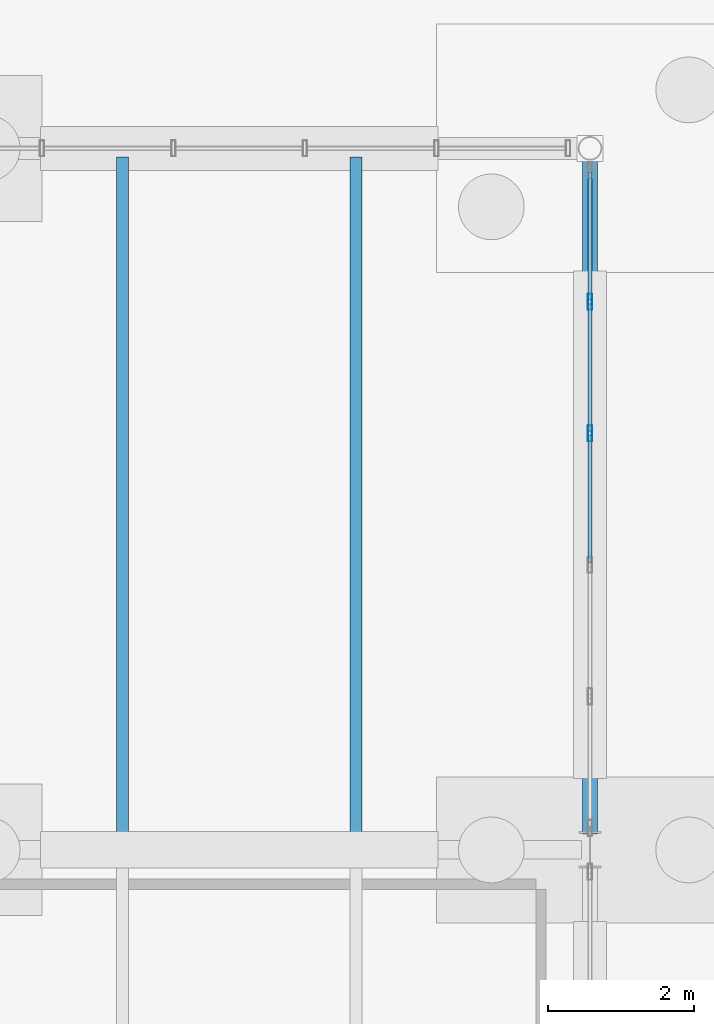
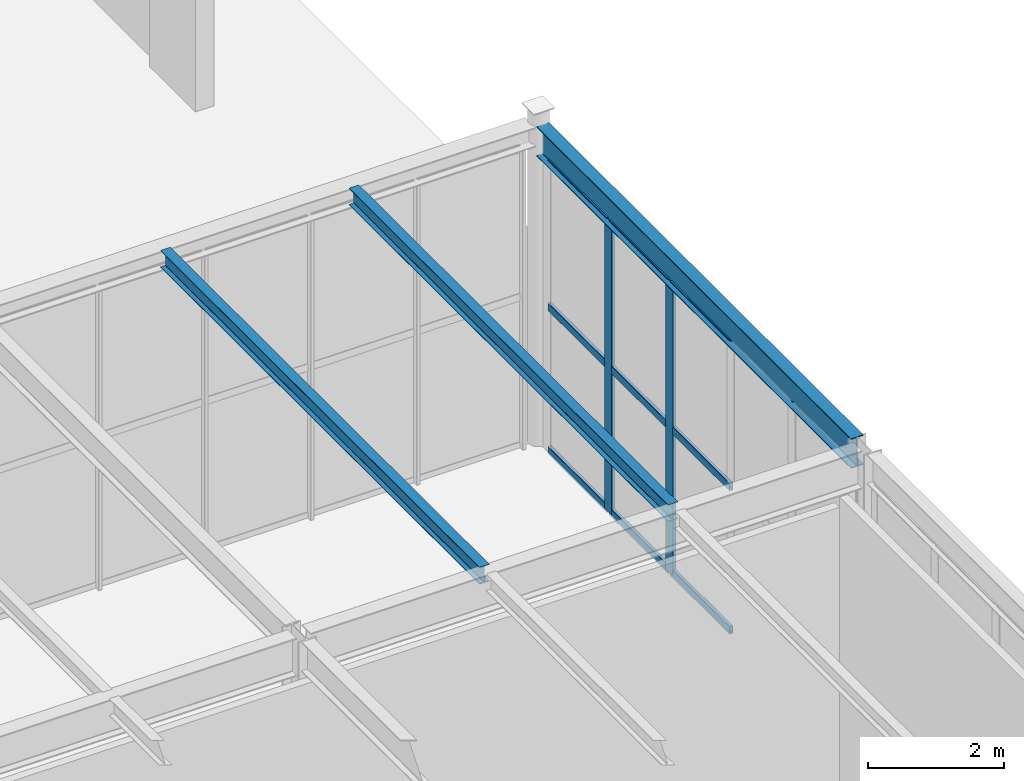
# One storey, part 98 of 142: 11 members, 3 beams, 1 element without a shape of its own.
"""IFC4 building model written with IfcOpenShell, lengths in metres."""

from ifc_helpers import new_model, si_unit, direction, frame, origin, origin_2d, place, context, subcontext, project, spatial, hollow_rectangle, i_section, extrude, material, material_profile, profile_set, type_object, element, aggregate, save


model = new_model("IFC4")

# Units and contexts
model_context = context("Model", 3, precision=1e-05, world=origin(), true_north=direction((0.0, 1.0)))
body_context = subcontext(model_context, "Body", "Model", "MODEL_VIEW")
ifc_project = project(units=[si_unit("LENGTHUNIT", "METRE"), si_unit("AREAUNIT", "SQUARE_METRE"), si_unit("VOLUMEUNIT", "CUBIC_METRE"), si_unit("PLANEANGLEUNIT", "RADIAN"), si_unit("MASSUNIT", "GRAM", prefix="KILO")], contexts=[model_context])

# Site, building, storey
site_placement = place(None, origin())
site = spatial("IfcSite", under=ifc_project, at=site_placement, CompositionType="ELEMENT")
building_placement = place(site_placement, origin())
building = spatial("IfcBuilding", under=site, at=building_placement, Name="Coralgate Yard Interchange", CompositionType="ELEMENT")
storey_placement = place(building_placement, origin())
storey = spatial("IfcBuildingStorey", under=building, at=storey_placement, Name="L00", CompositionType="ELEMENT", Elevation=0.0)

# Beams
ifc_material_1 = material(Name="Structural steel S355J2", Category="steel")
ifc_material_profile_1 = material_profile(ifc_material_1, i_section(OverallWidth=0.209228515625, OverallDepth=0.533203125, WebThickness=0.010009765625, FlangeThickness=0.015625, FilletRadius=0.0126953125, at=origin_2d()), Name="UB 533x210x92")
ifc_profile_set_1 = profile_set([ifc_material_profile_1], Name="Structural steel S355J2")
beam_type_1 = type_object("IfcBeamType", Name="BM-SB-1", PredefinedType="BEAM", material=ifc_profile_set_1)
beam_placement = place(storey_placement, frame((182.39990234375, 86.6201171875, 5.4833984375), z_axis=(0.0, 1.0, 0.0), x_axis=(-1.0, 0.0, 0.0)))
element("IfcBeam", 1, at=beam_placement, inside=storey, type_object=beam_type_1, Name="L00 primary grid girder X19 Y9-10", PredefinedType="BEAM", context=body_context, shape_type="SweptSolid", body=[
    extrude(i_section(OverallWidth=0.209228515625, OverallDepth=0.533203125, WebThickness=0.010009765625, FlangeThickness=0.015625, FilletRadius=0.0126953125, at=origin_2d()), origin(), (0.0, 0.0, 1.0), 9.247802734375),
])
ifc_material_profile_2 = material_profile(ifc_material_1, i_section(OverallWidth=0.1650390625, OverallDepth=0.303466796875, WebThickness=0.006103515625, FlangeThickness=0.01025390625, FilletRadius=0.0087890625, at=origin_2d()), Name="UB 305x165x40")
ifc_profile_set_2 = profile_set([ifc_material_profile_2], Name="Structural steel S355J2")
beam_type_2 = type_object("IfcBeamType", Name="BM-SJ-1", PredefinedType="JOIST", material=ifc_profile_set_2)
for number, where, z_axis, x_axis, name in (
    (2, (176.0, 86.496826171875, 5.598388671875), (0.0, 1.0, 0.0), (-1.0, 0.0, 0.0), "L00 composite floor joist 18-9-1"),
    (3, (179.199951171875, 86.496826171875, 5.598388671875), (0.0, 1.0, 0.0), (-1.0, 0.0, 0.0), "L00 composite floor joist 18-9-2"),
):
    element("IfcBeam", number, at=place(storey_placement, frame(where, z_axis=z_axis, x_axis=x_axis)), inside=storey, type_object=beam_type_2, Name=name, PredefinedType="JOIST", context=body_context, shape_type="SweptSolid", body=[
        extrude(i_section(OverallWidth=0.1650390625, OverallDepth=0.303466796875, WebThickness=0.006103515625, FlangeThickness=0.01025390625, FilletRadius=0.0087890625, at=origin_2d()), origin(), (0.0, 0.0, 1.0), 9.383056640625),
    ])

# Curtain wall, members
ifc_material_2 = material(Name="Anodised coastal aluminium and solar-control low-E glass", Category="aluminium")
curtain_wall_type = type_object("IfcCurtainWallType", Name="CW-CW-L00-B", PredefinedType="NOTDEFINED", material=ifc_material_2)
curtain_wall_placement = place(storey_placement, origin())
curtain_wall = element("IfcCurtainWall", 4, at=curtain_wall_placement, inside=storey, type_object=curtain_wall_type, Name="L00 unitised curtain wall CW-L00-E-18-09", PredefinedType="NOTDEFINED")
ifc_material_3 = material(Name="Anodised coastal aluminium 6063-T6", Category="aluminium")
ifc_material_profile_3 = material_profile(ifc_material_3, hollow_rectangle(XDim=0.06005859375, YDim=0.219970703125, WallThickness=0.00390625, InnerFilletRadius=0.00390625, OuterFilletRadius=0.008056640625, at=origin_2d()), Name="ALU 60x220x4")
ifc_profile_set_3 = profile_set([ifc_material_profile_3], Name="Anodised coastal aluminium 6063-T6")
member_type_1 = type_object("IfcMemberType", Name="MB-MUL-220", PredefinedType="MULLION", material=ifc_profile_set_3)
member_1_placement = place(storey_placement, frame((182.39990234375, 93.89990234375, 0.0), z_axis=(0.0, 0.0, 1.0), x_axis=(1.0, 0.0, 0.0)))
member_1 = element("IfcMember", 5, at=member_1_placement, type_object=member_type_1, Name="CW-L00-E-18-09 vertical mullion 2", PredefinedType="MULLION", context=body_context, shape_type="SweptSolid", body=[
    extrude(hollow_rectangle(XDim=0.06005859375, YDim=0.219970703125, WallThickness=0.00390625, InnerFilletRadius=0.00390625, OuterFilletRadius=0.008056640625, at=origin_2d()), origin(), (0.0, 0.0, 1.0), 5.216796875),
])
member_2_placement = place(storey_placement, frame((182.39990234375, 92.10009765625, 0.0), z_axis=(0.0, 0.0, 1.0), x_axis=(1.0, 0.0, 0.0)))
member_2 = element("IfcMember", 6, at=member_2_placement, type_object=member_type_1, Name="CW-L00-E-18-09 vertical mullion 3", PredefinedType="MULLION", context=body_context, shape_type="SweptSolid", body=[
    extrude(hollow_rectangle(XDim=0.06005859375, YDim=0.219970703125, WallThickness=0.00390625, InnerFilletRadius=0.00390625, OuterFilletRadius=0.008056640625, at=origin_2d()), origin(), (0.0, 0.0, 1.0), 5.216796875),
])
ifc_material_profile_4 = material_profile(ifc_material_3, hollow_rectangle(XDim=0.06005859375, YDim=0.139892578125, WallThickness=0.00341796875, InnerFilletRadius=0.00341796875, OuterFilletRadius=0.007080078125, at=origin_2d()), Name="ALU 60x140x3.5")
ifc_profile_set_4 = profile_set([ifc_material_profile_4], Name="Anodised coastal aluminium 6063-T6")
member_type_2 = type_object("IfcMemberType", Name="MB-TRN-140", PredefinedType="USERDEFINED", material=ifc_profile_set_4)
member_3_placement = place(storey_placement, frame((182.39990234375, 95.669921875, 0.034912109375), z_axis=(0.0, -1.0, 0.0), x_axis=(1.0, 0.0, 0.0)))
member_3 = element("IfcMember", 7, at=member_3_placement, type_object=member_type_2, Name="CW-L00-E-18-09 horizontal transom 1-1", ObjectType="TRANSOM", PredefinedType="USERDEFINED", context=body_context, shape_type="SweptSolid", body=[
    extrude(hollow_rectangle(XDim=0.06005859375, YDim=0.139892578125, WallThickness=0.00341796875, InnerFilletRadius=0.00341796875, OuterFilletRadius=0.007080078125, at=origin_2d()), origin(), (0.0, 0.0, 1.0), 1.739990234375),
])
member_4_placement = place(storey_placement, frame((182.39990234375, 95.669921875, 2.6083984375), z_axis=(0.0, -1.0, 0.0), x_axis=(1.0, 0.0, 0.0)))
member_4 = element("IfcMember", 8, at=member_4_placement, type_object=member_type_2, Name="CW-L00-E-18-09 horizontal transom 1-2", ObjectType="TRANSOM", PredefinedType="USERDEFINED", context=body_context, shape_type="SweptSolid", body=[
    extrude(hollow_rectangle(XDim=0.06005859375, YDim=0.139892578125, WallThickness=0.00341796875, InnerFilletRadius=0.00341796875, OuterFilletRadius=0.007080078125, at=origin_2d()), origin(), (0.0, 0.0, 1.0), 1.739990234375),
])
member_5_placement = place(storey_placement, frame((182.39990234375, 95.669921875, 5.181884765625), z_axis=(0.0, -1.0, 0.0), x_axis=(1.0, 0.0, 0.0)))
member_5 = element("IfcMember", 9, at=member_5_placement, type_object=member_type_2, Name="CW-L00-E-18-09 horizontal transom 1-3", ObjectType="TRANSOM", PredefinedType="USERDEFINED", context=body_context, shape_type="SweptSolid", body=[
    extrude(hollow_rectangle(XDim=0.06005859375, YDim=0.139892578125, WallThickness=0.00341796875, InnerFilletRadius=0.00341796875, OuterFilletRadius=0.007080078125, at=origin_2d()), origin(), (0.0, 0.0, 1.0), 1.739990234375),
])
member_6_placement = place(storey_placement, frame((182.39990234375, 93.8701171875, 0.034912109375), z_axis=(0.0, -1.0, 0.0), x_axis=(1.0, 0.0, 0.0)))
member_6 = element("IfcMember", 10, at=member_6_placement, type_object=member_type_2, Name="CW-L00-E-18-09 horizontal transom 2-1", ObjectType="TRANSOM", PredefinedType="USERDEFINED", context=body_context, shape_type="SweptSolid", body=[
    extrude(hollow_rectangle(XDim=0.06005859375, YDim=0.139892578125, WallThickness=0.00341796875, InnerFilletRadius=0.00341796875, OuterFilletRadius=0.007080078125, at=origin_2d()), origin(), (0.0, 0.0, 1.0), 1.740234375),
])
member_7_placement = place(storey_placement, frame((182.39990234375, 93.8701171875, 2.6083984375), z_axis=(0.0, -1.0, 0.0), x_axis=(1.0, 0.0, 0.0)))
member_7 = element("IfcMember", 11, at=member_7_placement, type_object=member_type_2, Name="CW-L00-E-18-09 horizontal transom 2-2", ObjectType="TRANSOM", PredefinedType="USERDEFINED", context=body_context, shape_type="SweptSolid", body=[
    extrude(hollow_rectangle(XDim=0.06005859375, YDim=0.139892578125, WallThickness=0.00341796875, InnerFilletRadius=0.00341796875, OuterFilletRadius=0.007080078125, at=origin_2d()), origin(), (0.0, 0.0, 1.0), 1.740234375),
])
member_8_placement = place(storey_placement, frame((182.39990234375, 93.8701171875, 5.181884765625), z_axis=(0.0, -1.0, 0.0), x_axis=(1.0, 0.0, 0.0)))
member_8 = element("IfcMember", 12, at=member_8_placement, type_object=member_type_2, Name="CW-L00-E-18-09 horizontal transom 2-3", ObjectType="TRANSOM", PredefinedType="USERDEFINED", context=body_context, shape_type="SweptSolid", body=[
    extrude(hollow_rectangle(XDim=0.06005859375, YDim=0.139892578125, WallThickness=0.00341796875, InnerFilletRadius=0.00341796875, OuterFilletRadius=0.007080078125, at=origin_2d()), origin(), (0.0, 0.0, 1.0), 1.740234375),
])
member_9_placement = place(storey_placement, frame((182.39990234375, 92.070068359375, 0.034912109375), z_axis=(0.0, -1.0, 0.0), x_axis=(1.0, 0.0, 0.0)))
member_9 = element("IfcMember", 13, at=member_9_placement, type_object=member_type_2, Name="CW-L00-E-18-09 horizontal transom 3-1", ObjectType="TRANSOM", PredefinedType="USERDEFINED", context=body_context, shape_type="SweptSolid", body=[
    extrude(hollow_rectangle(XDim=0.06005859375, YDim=0.139892578125, WallThickness=0.00341796875, InnerFilletRadius=0.00341796875, OuterFilletRadius=0.007080078125, at=origin_2d()), origin(), (0.0, 0.0, 1.0), 1.739990234375),
])
member_10_placement = place(storey_placement, frame((182.39990234375, 92.070068359375, 2.6083984375), z_axis=(0.0, -1.0, 0.0), x_axis=(1.0, 0.0, 0.0)))
member_10 = element("IfcMember", 14, at=member_10_placement, type_object=member_type_2, Name="CW-L00-E-18-09 horizontal transom 3-2", ObjectType="TRANSOM", PredefinedType="USERDEFINED", context=body_context, shape_type="SweptSolid", body=[
    extrude(hollow_rectangle(XDim=0.06005859375, YDim=0.139892578125, WallThickness=0.00341796875, InnerFilletRadius=0.00341796875, OuterFilletRadius=0.007080078125, at=origin_2d()), origin(), (0.0, 0.0, 1.0), 1.739990234375),
])
member_11_placement = place(storey_placement, frame((182.39990234375, 92.070068359375, 5.181884765625), z_axis=(0.0, -1.0, 0.0), x_axis=(1.0, 0.0, 0.0)))
member_11 = element("IfcMember", 15, at=member_11_placement, type_object=member_type_2, Name="CW-L00-E-18-09 horizontal transom 3-3", ObjectType="TRANSOM", PredefinedType="USERDEFINED", context=body_context, shape_type="SweptSolid", body=[
    extrude(hollow_rectangle(XDim=0.06005859375, YDim=0.139892578125, WallThickness=0.00341796875, InnerFilletRadius=0.00341796875, OuterFilletRadius=0.007080078125, at=origin_2d()), origin(), (0.0, 0.0, 1.0), 1.739990234375),
])
aggregate(curtain_wall, [member_1, member_2, member_3, member_4, member_5, member_6, member_7, member_8, member_9, member_10, member_11])

save(model, "model.ifc")
